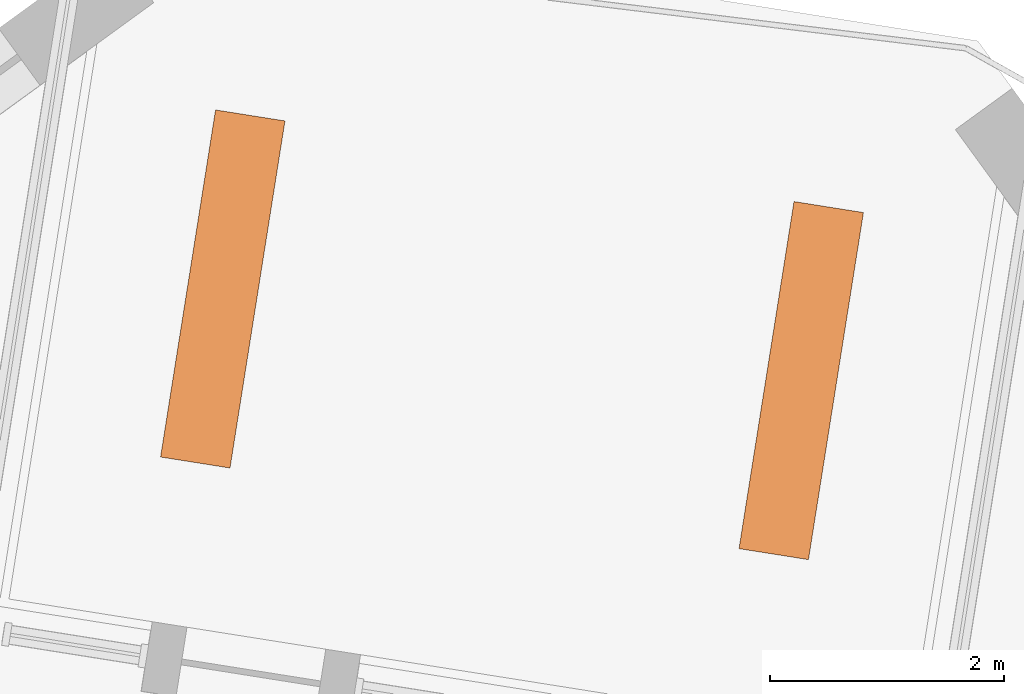
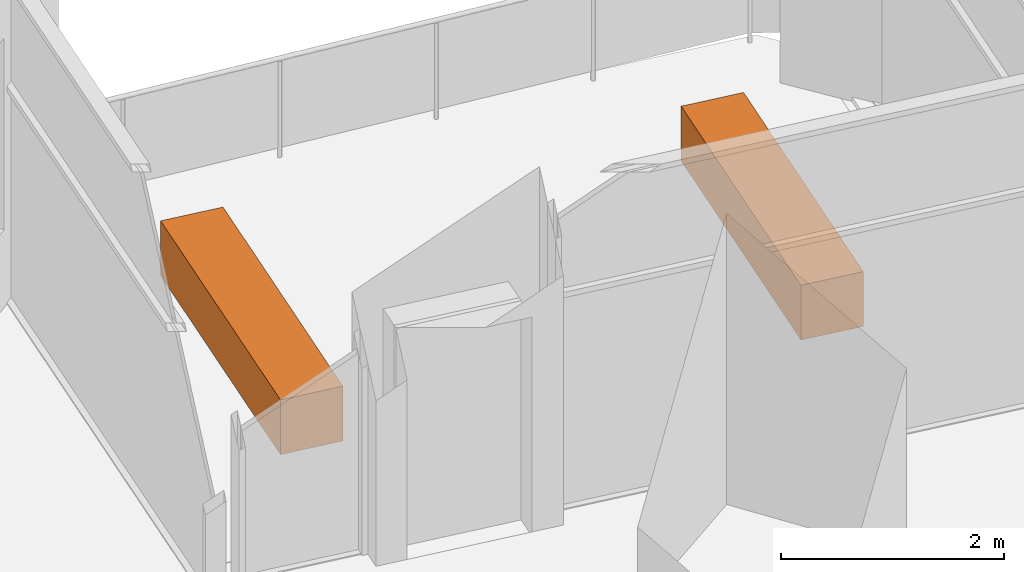
# One storey, part 11 of 11: 2 proxies.
"""IFC4 building model written with IfcOpenShell, lengths in metres."""

from ifc_helpers import new_model, si_unit, direction, frame, origin, origin_2d, place, context, subcontext, project, spatial, rectangle, extrude, element, save


model = new_model("IFC4")

# Units and contexts
model_context = context("Model", 3, precision=1e-05, world=origin(), true_north=direction((0.0, 1.0)))
body_context = subcontext(model_context, "Body", "Model", "MODEL_VIEW")
ifc_project = project(units=[si_unit("LENGTHUNIT", "METRE"), si_unit("AREAUNIT", "SQUARE_METRE"), si_unit("VOLUMEUNIT", "CUBIC_METRE"), si_unit("PLANEANGLEUNIT", "RADIAN"), si_unit("MASSUNIT", "GRAM", prefix="KILO")], contexts=[model_context])

# Site, building, storey
site_placement = place(None, origin())
site = spatial("IfcSite", under=ifc_project, at=site_placement, CompositionType="ELEMENT")
building_placement = place(site_placement, origin())
building = spatial("IfcBuilding", under=site, at=building_placement, Name="Dilmun Exchange Tower", CompositionType="ELEMENT")
storey_placement = place(building_placement, frame((0.0, 0.0, 171.699951171875)))
storey = spatial("IfcBuildingStorey", under=building, at=storey_placement, Name="L40", CompositionType="ELEMENT", Elevation=171.699951171875)

# Proxies
for number, where, z_axis, x_axis, name in (
    (1, (10.18408203125, 32.046630859375, 0.0), (0.0, 0.0, 1.0), (0.15643446504, 0.987688340595, 0.0), "PLANTER Ghaf tree L40.1"),
    (2, (5.24560546875, 32.828857421875, 0.0), (0.0, 0.0, 1.0), (0.15643446504, 0.987688340595, 0.0), "PLANTER Ghaf tree L40.2"),
):
    element("IfcBuildingElementProxy", number, at=place(storey_placement, frame(where, z_axis=z_axis, x_axis=x_axis)), inside=storey, Name=name, ObjectType="PLANTER", PredefinedType="USERDEFINED", context=body_context, shape_type="SweptSolid", body=[
        extrude(rectangle(XDim=3.0, YDim=0.60009765625, at=origin_2d()), origin(), (0.0, 0.0, 1.0), 0.60009765625),
    ])

save(model, "model.ifc")
